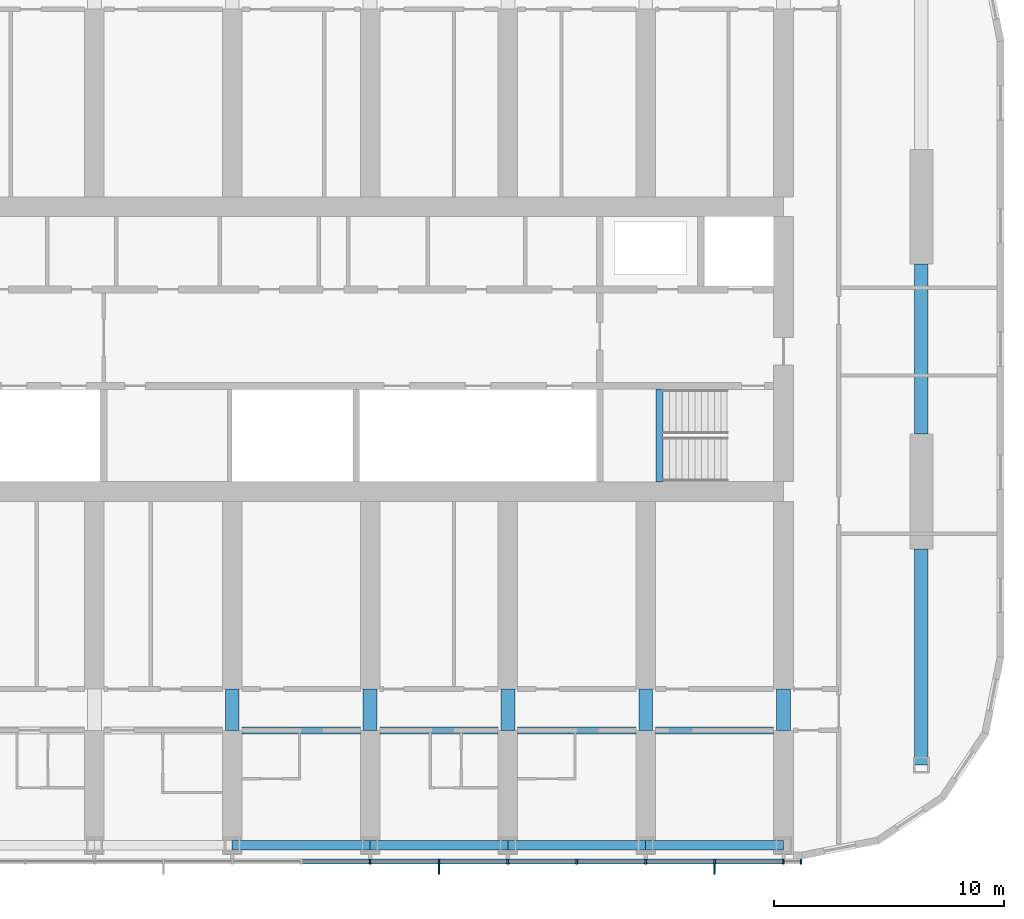
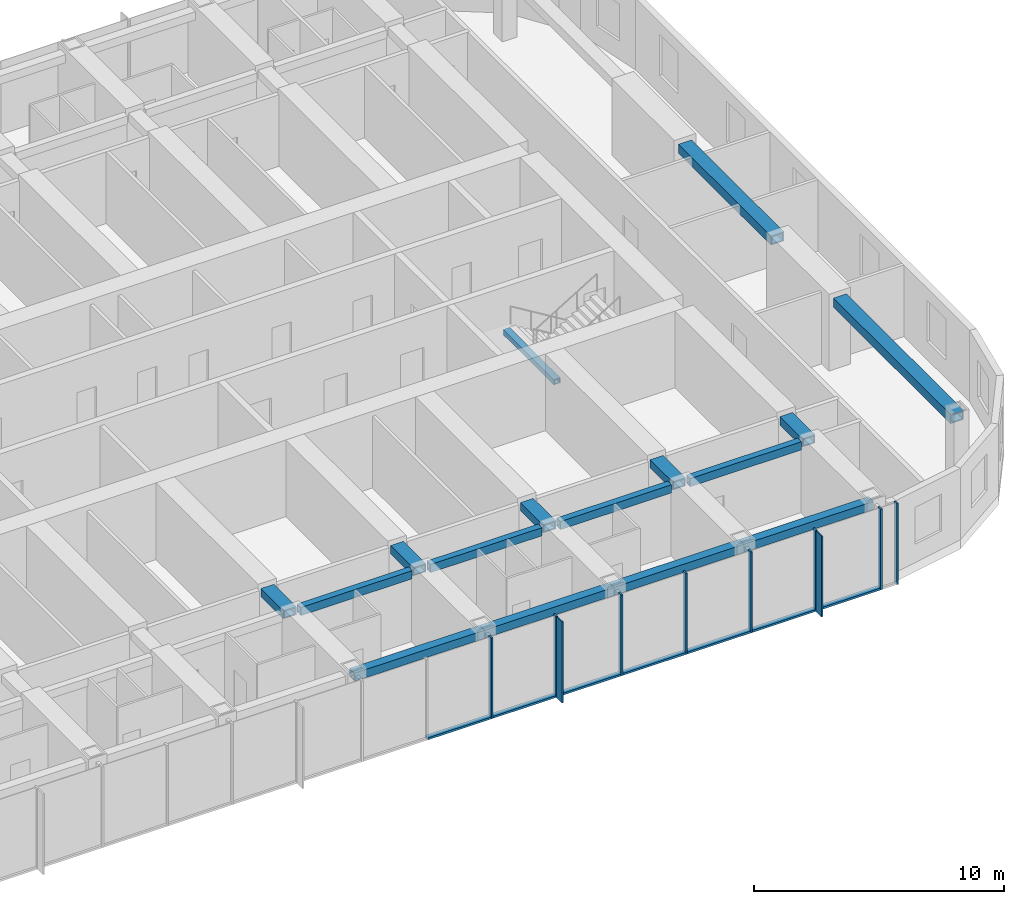
# One storey, part 7 of 29: 17 members, 16 beams, 1 element without a shape of its own.
"""IFC4 building model written with IfcOpenShell, lengths in metres."""

import ifcopenshell
import ifcopenshell.guid

model = None  # the IFC model being written
_history = None  # IfcOwnerHistory: only IFC2X3 demands one
_inside = {}  # id of a spatial element -> (the spatial element, [elements in it])
_under = {}  # id of a project, library or spatial element -> (it, [spatial elements below it])
_declared = {}  # id of a project -> (the project, [libraries it declares])
_typed = {}  # id of a type object -> (the type object, [elements of that type])
_made_of = {}  # id of a material, layer set ... -> (it, [elements and type objects made of it])


def new_model(schema):
    """Start an empty IFC model of exactly this schema.

    Asked for "IFC4X3", IfcOpenShell would pick the latest addendum, in which some entities
    have other attributes; the version numbers below select the first issue.
    IFC2X3 requires an IfcOwnerHistory on every rooted entity: one is made here for all.
    """
    global model, _history
    if schema == "IFC4X3":
        model = ifcopenshell.file(schema_version=(4, 3, 0, 0))
    else:
        model = ifcopenshell.file(schema=schema)
    _inside.clear()
    _under.clear()
    _declared.clear()
    _typed.clear()
    _made_of.clear()
    _history = None
    if model.schema == "IFC2X3":
        org = make("IfcOrganization", Name="unknown")
        user = make(
            "IfcPersonAndOrganization",
            ThePerson=make("IfcPerson", FamilyName="unknown"),
            TheOrganization=org,
        )
        app = make(
            "IfcApplication",
            ApplicationDeveloper=org,
            Version="unknown",
            ApplicationFullName="unknown",
            ApplicationIdentifier="unknown",
        )
        _history = make(
            "IfcOwnerHistory",
            OwningUser=user,
            OwningApplication=app,
            ChangeAction="ADDED",
            CreationDate=0,
        )
    return model


def make(cls, **values):
    """One entity of the class cls with the attributes given. An attribute that is None is left unset."""
    return model.create_entity(
        cls, **{name: value for name, value in values.items() if value is not None}
    )


def rooted(cls, **values):
    """An entity with a GlobalId (a new one), such as an element, a storey or a relation."""
    return make(cls, GlobalId=ifcopenshell.guid.new(), OwnerHistory=_history, **values)


def si_unit(unit_type, name, prefix=None):
    """IfcSIUnit, for example si_unit("LENGTHUNIT", "METRE", prefix="MILLI")."""
    return make("IfcSIUnit", UnitType=unit_type, Prefix=prefix, Name=name)


def assignment(units):
    """IfcUnitAssignment: the units of a project."""
    return None if units is None else make("IfcUnitAssignment", Units=units)


def point(xyz):
    """IfcCartesianPoint."""
    return None if xyz is None else make("IfcCartesianPoint", Coordinates=xyz)


def direction(xyz):
    """IfcDirection."""
    return None if xyz is None else make("IfcDirection", DirectionRatios=xyz)


def frame(location, z_axis=None, x_axis=None):
    """IfcAxis2Placement3D, a coordinate frame: its origin and axes. An axis left out is left unset."""
    return make(
        "IfcAxis2Placement3D",
        Location=point(location),
        Axis=direction(z_axis),
        RefDirection=direction(x_axis),
    )


def frame_2d(location, x_axis=None):
    """IfcAxis2Placement2D, a coordinate frame in the plane: its origin and x axis."""
    return make(
        "IfcAxis2Placement2D", Location=point(location), RefDirection=direction(x_axis)
    )


def origin():
    """The frame at (0, 0, 0) with its axes left unset."""
    return frame((0.0, 0.0, 0.0))


def origin_2d():
    """The frame at (0, 0) in the plane with its x axis left unset."""
    return frame_2d((0.0, 0.0))


def place(relative_to, where):
    """IfcLocalPlacement: puts the frame where relative to a parent placement (None: the world)."""
    return make(
        "IfcLocalPlacement", PlacementRelTo=relative_to, RelativePlacement=where
    )


def context(
    kind, dimensions, precision=None, world=None, true_north=None, identifier=None
):
    """IfcGeometricRepresentationContext, for example the 3D "Model" context."""
    return make(
        "IfcGeometricRepresentationContext",
        ContextIdentifier=identifier,
        ContextType=kind,
        CoordinateSpaceDimension=dimensions,
        Precision=precision,
        WorldCoordinateSystem=world,
        TrueNorth=true_north,
    )


def subcontext(parent, identifier, kind, view, scale=None):
    """IfcGeometricRepresentationSubContext, for example "Body" below "Model"."""
    return make(
        "IfcGeometricRepresentationSubContext",
        ContextIdentifier=identifier,
        ContextType=kind,
        ParentContext=parent,
        TargetScale=scale,
        TargetView=view,
    )


def project(units=None, contexts=None):
    """IfcProject with its units and contexts."""
    return rooted(
        "IfcProject",
        Name="project",
        RepresentationContexts=contexts,
        UnitsInContext=assignment(units),
    )


def spatial(cls, under=None, at=None, **own):
    """A site, building, storey or space (cls), placed at a placement, below another one or the project."""
    s = rooted(cls, ObjectPlacement=at, **own)
    if under is not None:
        _under.setdefault(under.id(), (under, []))[1].append(s)
    return s


def profile(cls, at=None, kind="AREA", **sizes):
    """A parametric profile (cls). Its sizes go by their IFC names, for example OverallWidth=200.0."""
    return make(cls, ProfileType=kind, Position=at, **sizes)


def rectangle(**sizes):
    """IfcRectangleProfileDef."""
    return profile("IfcRectangleProfileDef", **sizes)


def hollow_rectangle(**sizes):
    """IfcRectangleHollowProfileDef."""
    return profile("IfcRectangleHollowProfileDef", **sizes)


def extrude(swept, where, along, depth):
    """IfcExtrudedAreaSolid: the profile swept, set in the frame where, extruded along a direction by depth."""
    return make(
        "IfcExtrudedAreaSolid",
        SweptArea=swept,
        Position=where,
        ExtrudedDirection=direction(along),
        Depth=depth,
    )


def shape(context_of_items, identifier, shape_type, items):
    """IfcShapeRepresentation: the items that make up one representation, for example the "Body"."""
    return make(
        "IfcShapeRepresentation",
        ContextOfItems=context_of_items,
        RepresentationIdentifier=identifier,
        RepresentationType=shape_type,
        Items=items,
    )


def material(Name=None, Category=None):
    """IfcMaterial."""
    return make("IfcMaterial", Name=Name, Category=Category)


def material_profile(
    of_material, cross_section, Name=None, Category=None, Priority=None
):
    """IfcMaterialProfile: a cross section and its material."""
    return make(
        "IfcMaterialProfile",
        Name=Name,
        Material=of_material,
        Profile=cross_section,
        Priority=Priority,
        Category=Category,
    )


def profile_set(profiles, Name=None, composite=None):
    """IfcMaterialProfileSet."""
    return make(
        "IfcMaterialProfileSet",
        Name=Name,
        MaterialProfiles=profiles,
        CompositeProfile=composite,
    )


def made_of(thing, what):
    """Note that an element or type object is made of a material, layer set ...; save() writes the relation."""
    if what is not None:
        _made_of.setdefault(what.id(), (what, []))[1].append(thing)
    return thing


def type_object(cls, material=None, **own):
    """A type object (cls), such as IfcWallType, which elements share."""
    return made_of(rooted(cls, **own), material)


def element(
    cls,
    number,
    at=None,
    inside=None,
    cuts=None,
    type_object=None,
    material=None,
    context=None,
    identifier="Body",
    shape_type=None,
    held_by="IfcProductDefinitionShape",
    body=None,
    shapes=None,
    **own,
):
    """One element of the class cls, such as IfcWall. Its Tag is "e" and its number.

    at: its placement. inside: the storey or other place that contains it. cuts: it is an
    opening in that element (IfcRelVoidsElement). A single representation is given by context,
    identifier, shape_type and body (its items); several are given by shapes. held_by: the class
    of the entity that holds the representations. save() writes the other relations.
    """
    e = rooted(cls, Tag="e%d" % number, ObjectPlacement=at, **own)
    if body is not None:
        shapes = [shape(context, identifier, shape_type, body)]
    if shapes is not None:
        e.Representation = make(held_by, Representations=shapes)
    if inside is not None:
        _inside.setdefault(inside.id(), (inside, []))[1].append(e)
    if cuts is not None:
        rooted(
            "IfcRelVoidsElement", RelatingBuildingElement=cuts, RelatedOpeningElement=e
        )
    if type_object is not None:
        _typed.setdefault(type_object.id(), (type_object, []))[1].append(e)
    return made_of(e, material)


def aggregate(whole, parts):
    """IfcRelAggregates: a whole, such as a stair, and the parts it consists of."""
    return rooted("IfcRelAggregates", RelatingObject=whole, RelatedObjects=parts)


def save(model, path):
    """Write the relations noted so far, then the file.

    IfcRelAggregates (storeys below a building ...), IfcRelContainedInSpatialStructure (elements
    in a storey), IfcRelDefinesByType, IfcRelAssociatesMaterial and IfcRelDeclares: one each for
    every whole, place, type object, material and project.
    """
    for whole, parts in _under.values():
        aggregate(whole, parts)
    for where, things in _inside.values():
        rooted(
            "IfcRelContainedInSpatialStructure",
            RelatedElements=things,
            RelatingStructure=where,
        )
    for kind, things in _typed.values():
        rooted("IfcRelDefinesByType", RelatedObjects=things, RelatingType=kind)
    for what, things in _made_of.values():
        rooted("IfcRelAssociatesMaterial", RelatedObjects=things, RelatingMaterial=what)
    for by, libraries in _declared.values():
        rooted("IfcRelDeclares", RelatingContext=by, RelatedDefinitions=libraries)
    model.write(path)


model = new_model("IFC4")

# Units and contexts
model_context = context("Model", 3, precision=1e-05, world=origin(), true_north=direction((0.0, 1.0)))
body_context = subcontext(model_context, "Body", "Model", "MODEL_VIEW")
ifc_project = project(units=[si_unit("LENGTHUNIT", "METRE"), si_unit("AREAUNIT", "SQUARE_METRE"), si_unit("VOLUMEUNIT", "CUBIC_METRE"), si_unit("PLANEANGLEUNIT", "RADIAN"), si_unit("MASSUNIT", "GRAM", prefix="KILO")], contexts=[model_context])

# Site, building, storey
site_placement = place(None, origin())
site = spatial("IfcSite", under=ifc_project, at=site_placement, CompositionType="ELEMENT")
building_placement = place(site_placement, origin())
building = spatial("IfcBuilding", under=site, at=building_placement, Name="Orbita Commons", CompositionType="ELEMENT")
storey_placement = place(building_placement, frame((0.0, 0.0, 163.60009765625)))
storey = spatial("IfcBuildingStorey", under=building, at=storey_placement, Name="L40", CompositionType="ELEMENT", Elevation=163.60009765625)

# Curtain wall, members
ifc_material_1 = material(Name="Anodised aluminium frame, pale silver", Category="aluminium")
curtain_wall_type = type_object("IfcCurtainWallType", Name="Unitised curtain wall CW-U, full-height vision", PredefinedType="NOTDEFINED", material=ifc_material_1)
curtain_wall_placement = place(storey_placement, origin())
curtain_wall = element("IfcCurtainWall", 1, at=curtain_wall_placement, inside=storey, type_object=curtain_wall_type, Name="Curtain wall south L40", PredefinedType="NOTDEFINED")
ifc_material_2 = material(Name="Anodised aluminium, pale silver", Category="aluminium")
ifc_material_profile_1 = material_profile(ifc_material_2, rectangle(XDim=0.080078125, YDim=0.219970703125, at=origin_2d()), Name="AL 80x220")
ifc_profile_set_1 = profile_set([ifc_material_profile_1], Name="Anodised aluminium, pale silver")
member_type_1 = type_object("IfcMemberType", Name="Curtain wall mullion 80x220", PredefinedType="MULLION", material=ifc_profile_set_1)
member_1_placement = place(storey_placement, frame((48.0, 9.68994140625, -0.4501953125), z_axis=(0.0, 0.0, 1.0), x_axis=(1.0, 0.0, 0.0)))
member_1 = element("IfcMember", 2, at=member_1_placement, type_object=member_type_1, Name="Mullion 12 CW-L40-S", PredefinedType="MULLION", context=body_context, shape_type="SweptSolid", body=[
    extrude(rectangle(XDim=0.080078125, YDim=0.219970703125, at=origin_2d()), origin(), (0.0, 0.0, 1.0), 3.9501953125),
])
member_2_placement = place(storey_placement, frame((51.0, 9.68994140625, -0.4501953125), z_axis=(0.0, 0.0, 1.0), x_axis=(1.0, 0.0, 0.0)))
member_2 = element("IfcMember", 3, at=member_2_placement, type_object=member_type_1, Name="Mullion 13 CW-L40-S", PredefinedType="MULLION", context=body_context, shape_type="SweptSolid", body=[
    extrude(rectangle(XDim=0.080078125, YDim=0.219970703125, at=origin_2d()), origin(), (0.0, 0.0, 1.0), 3.9501953125),
])
member_3_placement = place(storey_placement, frame((54.0, 9.68994140625, -0.4501953125), z_axis=(0.0, 0.0, 1.0), x_axis=(1.0, 0.0, 0.0)))
member_3 = element("IfcMember", 4, at=member_3_placement, type_object=member_type_1, Name="Mullion 14 CW-L40-S", PredefinedType="MULLION", context=body_context, shape_type="SweptSolid", body=[
    extrude(rectangle(XDim=0.080078125, YDim=0.219970703125, at=origin_2d()), origin(), (0.0, 0.0, 1.0), 3.9501953125),
])
member_4_placement = place(storey_placement, frame((57.0, 9.68994140625, -0.4501953125), z_axis=(0.0, 0.0, 1.0), x_axis=(1.0, 0.0, 0.0)))
member_4 = element("IfcMember", 5, at=member_4_placement, type_object=member_type_1, Name="Mullion 15 CW-L40-S", PredefinedType="MULLION", context=body_context, shape_type="SweptSolid", body=[
    extrude(rectangle(XDim=0.080078125, YDim=0.219970703125, at=origin_2d()), origin(), (0.0, 0.0, 1.0), 3.9501953125),
])
member_5_placement = place(storey_placement, frame((60.0, 9.68994140625, -0.4501953125), z_axis=(0.0, 0.0, 1.0), x_axis=(1.0, 0.0, 0.0)))
member_5 = element("IfcMember", 6, at=member_5_placement, type_object=member_type_1, Name="Mullion 16 CW-L40-S", PredefinedType="MULLION", context=body_context, shape_type="SweptSolid", body=[
    extrude(rectangle(XDim=0.080078125, YDim=0.219970703125, at=origin_2d()), origin(), (0.0, 0.0, 1.0), 3.9501953125),
])
member_6_placement = place(storey_placement, frame((63.0, 9.68994140625, -0.4501953125), z_axis=(0.0, 0.0, 1.0), x_axis=(1.0, 0.0, 0.0)))
member_6 = element("IfcMember", 7, at=member_6_placement, type_object=member_type_1, Name="Mullion 17 CW-L40-S", PredefinedType="MULLION", context=body_context, shape_type="SweptSolid", body=[
    extrude(rectangle(XDim=0.080078125, YDim=0.219970703125, at=origin_2d()), origin(), (0.0, 0.0, 1.0), 3.9501953125),
])
member_7_placement = place(storey_placement, frame((66.0, 9.68994140625, -0.4501953125), z_axis=(0.0, 0.0, 1.0), x_axis=(1.0, 0.0, 0.0)))
member_7 = element("IfcMember", 8, at=member_7_placement, type_object=member_type_1, Name="Mullion 18 CW-L40-S", PredefinedType="MULLION", context=body_context, shape_type="SweptSolid", body=[
    extrude(rectangle(XDim=0.080078125, YDim=0.219970703125, at=origin_2d()), origin(), (0.0, 0.0, 1.0), 3.9501953125),
])
member_8_placement = place(storey_placement, frame((66.760009765625, 9.68994140625, -0.4501953125), z_axis=(0.0, 0.0, 1.0), x_axis=(1.0, 0.0, 0.0)))
member_8 = element("IfcMember", 9, at=member_8_placement, type_object=member_type_1, Name="Mullion 19 CW-L40-S", PredefinedType="MULLION", context=body_context, shape_type="SweptSolid", body=[
    extrude(rectangle(XDim=0.080078125, YDim=0.219970703125, at=origin_2d()), origin(), (0.0, 0.0, 1.0), 3.9501953125),
])
ifc_material_3 = material(Name="Anodised aluminium, pale silver", Category="aluminium")
ifc_material_profile_2 = material_profile(ifc_material_3, rectangle(XDim=0.219970703125, YDim=0.10009765625, at=origin_2d()), Name="AL 220x100")
ifc_profile_set_2 = profile_set([ifc_material_profile_2], Name="Anodised aluminium, pale silver")
member_type_2 = type_object("IfcMemberType", Name="Curtain wall stack transom 220x100", PredefinedType="USERDEFINED", material=ifc_profile_set_2)
member_9_placement = place(storey_placement, frame((45.0400390625, 9.68994140625, -0.400146484375), z_axis=(1.0, 0.0, 0.0), x_axis=(0.0, 1.0, 0.0)))
member_9 = element("IfcMember", 10, at=member_9_placement, type_object=member_type_2, Name="Transom 11.1 CW-L40-S", ObjectType="TRANSOM", PredefinedType="USERDEFINED", context=body_context, shape_type="SweptSolid", body=[
    extrude(rectangle(XDim=0.219970703125, YDim=0.10009765625, at=origin_2d()), origin(), (0.0, 0.0, 1.0), 2.919921875),
])
member_10_placement = place(storey_placement, frame((48.0400390625, 9.68994140625, -0.400146484375), z_axis=(1.0, 0.0, 0.0), x_axis=(0.0, 1.0, 0.0)))
member_10 = element("IfcMember", 11, at=member_10_placement, type_object=member_type_2, Name="Transom 12.1 CW-L40-S", ObjectType="TRANSOM", PredefinedType="USERDEFINED", context=body_context, shape_type="SweptSolid", body=[
    extrude(rectangle(XDim=0.219970703125, YDim=0.10009765625, at=origin_2d()), origin(), (0.0, 0.0, 1.0), 2.919921875),
])
member_11_placement = place(storey_placement, frame((51.0400390625, 9.68994140625, -0.400146484375), z_axis=(1.0, 0.0, 0.0), x_axis=(0.0, 1.0, 0.0)))
member_11 = element("IfcMember", 12, at=member_11_placement, type_object=member_type_2, Name="Transom 13.1 CW-L40-S", ObjectType="TRANSOM", PredefinedType="USERDEFINED", context=body_context, shape_type="SweptSolid", body=[
    extrude(rectangle(XDim=0.219970703125, YDim=0.10009765625, at=origin_2d()), origin(), (0.0, 0.0, 1.0), 2.919921875),
])
member_12_placement = place(storey_placement, frame((54.0400390625, 9.68994140625, -0.400146484375), z_axis=(1.0, 0.0, 0.0), x_axis=(0.0, 1.0, 0.0)))
member_12 = element("IfcMember", 13, at=member_12_placement, type_object=member_type_2, Name="Transom 14.1 CW-L40-S", ObjectType="TRANSOM", PredefinedType="USERDEFINED", context=body_context, shape_type="SweptSolid", body=[
    extrude(rectangle(XDim=0.219970703125, YDim=0.10009765625, at=origin_2d()), origin(), (0.0, 0.0, 1.0), 2.919921875),
])
member_13_placement = place(storey_placement, frame((57.0400390625, 9.68994140625, -0.400146484375), z_axis=(1.0, 0.0, 0.0), x_axis=(0.0, 1.0, 0.0)))
member_13 = element("IfcMember", 14, at=member_13_placement, type_object=member_type_2, Name="Transom 15.1 CW-L40-S", ObjectType="TRANSOM", PredefinedType="USERDEFINED", context=body_context, shape_type="SweptSolid", body=[
    extrude(rectangle(XDim=0.219970703125, YDim=0.10009765625, at=origin_2d()), origin(), (0.0, 0.0, 1.0), 2.919921875),
])
member_14_placement = place(storey_placement, frame((60.0400390625, 9.68994140625, -0.400146484375), z_axis=(1.0, 0.0, 0.0), x_axis=(0.0, 1.0, 0.0)))
member_14 = element("IfcMember", 15, at=member_14_placement, type_object=member_type_2, Name="Transom 16.1 CW-L40-S", ObjectType="TRANSOM", PredefinedType="USERDEFINED", context=body_context, shape_type="SweptSolid", body=[
    extrude(rectangle(XDim=0.219970703125, YDim=0.10009765625, at=origin_2d()), origin(), (0.0, 0.0, 1.0), 2.919921875),
])
member_15_placement = place(storey_placement, frame((63.0400390625, 9.68994140625, -0.400146484375), z_axis=(1.0, 0.0, 0.0), x_axis=(0.0, 1.0, 0.0)))
member_15 = element("IfcMember", 16, at=member_15_placement, type_object=member_type_2, Name="Transom 17.1 CW-L40-S", ObjectType="TRANSOM", PredefinedType="USERDEFINED", context=body_context, shape_type="SweptSolid", body=[
    extrude(rectangle(XDim=0.219970703125, YDim=0.10009765625, at=origin_2d()), origin(), (0.0, 0.0, 1.0), 2.919921875),
])

# Beams
ifc_material_4 = material(Name="Steel ASTM A572 Gr 50 welded plate", Category="steel")
ifc_material_profile_3 = material_profile(ifc_material_4, hollow_rectangle(XDim=0.300048828125, YDim=0.25, WallThickness=0.02490234375, at=origin_2d()), Name="BOX 250x300x25")
ifc_profile_set_3 = profile_set([ifc_material_profile_3], Name="Steel ASTM A572 Gr 50 welded plate")
beam_type_1 = type_object("IfcBeamType", Name="Stair landing beam steel BOX 250x300x25", PredefinedType="BEAM", material=ifc_profile_set_3)
beam_1_placement = place(storey_placement, frame((60.60009765625, 26.2099609375, 1.5498046875), z_axis=(0.0, 1.0, 0.0), x_axis=(-1.0, 0.0, 0.0)))
element("IfcBeam", 17, at=beam_1_placement, inside=storey, type_object=beam_type_1, Name="Stair S2 landing beam L40 1", PredefinedType="BEAM", context=body_context, shape_type="SweptSolid", body=[
    extrude(hollow_rectangle(XDim=0.300048828125, YDim=0.25, WallThickness=0.02490234375, at=origin_2d()), origin(), (0.0, 0.0, 1.0), 4.054931640625),
])
ifc_material_5 = material(Name="Steel ASTM A572 Gr 50 welded plate", Category="steel")
ifc_material_profile_4 = material_profile(ifc_material_5, hollow_rectangle(XDim=0.300048828125, YDim=0.39990234375, WallThickness=0.0400390625, at=origin_2d()), Name="BOX 400x300x40")
ifc_profile_set_4 = profile_set([ifc_material_profile_4], Name="Steel ASTM A572 Gr 50 welded plate")
beam_type_2 = type_object("IfcBeamType", Name="Steel corridor link BOX 400x300x40", PredefinedType="BEAM", material=ifc_profile_set_4)
for number, where, z_axis, x_axis, name in (
    (18, (42.425048828125, 15.39990234375, 3.2998046875), (1.0, 0.0, 0.0), (0.0, 1.0, 0.0), "Corridor beam SA 8-9 L40"),
    (19, (48.425048828125, 15.39990234375, 3.2998046875), (1.0, 0.0, 0.0), (0.0, 1.0, 0.0), "Corridor beam SA 9-10 L40"),
    (20, (54.425048828125, 15.39990234375, 3.2998046875), (1.0, 0.0, 0.0), (0.0, 1.0, 0.0), "Corridor beam SA 10-11 L40"),
    (21, (60.425048828125, 15.39990234375, 3.2998046875), (1.0, 0.0, 0.0), (0.0, 1.0, 0.0), "Corridor beam SA 11-12 L40"),
):
    element("IfcBeam", number, at=place(storey_placement, frame(where, z_axis=z_axis, x_axis=x_axis)), inside=storey, type_object=beam_type_2, Name=name, PredefinedType="BEAM", context=body_context, shape_type="SweptSolid", body=[
        extrude(hollow_rectangle(XDim=0.300048828125, YDim=0.39990234375, WallThickness=0.0400390625, at=origin_2d()), origin(), (0.0, 0.0, 1.0), 5.14990234375),
    ])
ifc_material_6 = material(Name="Steel ASTM A572 Gr 50 welded plate", Category="steel")
ifc_material_profile_5 = material_profile(ifc_material_6, hollow_rectangle(XDim=0.60009765625, YDim=0.39990234375, WallThickness=0.050048828125, at=origin_2d()), Name="BOX 400x600x50")
ifc_profile_set_5 = profile_set([ifc_material_profile_5], Name="Steel ASTM A572 Gr 50 welded plate")
beam_type_3 = type_object("IfcBeamType", Name="Steel coupling link BOX 400x600x50", PredefinedType="LINTEL", material=ifc_profile_set_5)
for number, where, z_axis, x_axis, name in (
    (22, (42.0, 15.39990234375, 3.2998046875), (0.0, 1.0, 0.0), (-1.0, 0.0, 0.0), "Coupling beam 8 south L40"),
    (23, (48.0, 15.39990234375, 3.2998046875), (0.0, 1.0, 0.0), (-1.0, 0.0, 0.0), "Coupling beam 9 south L40"),
    (24, (54.0, 15.39990234375, 3.2998046875), (0.0, 1.0, 0.0), (-1.0, 0.0, 0.0), "Coupling beam 10 south L40"),
    (25, (60.0, 15.39990234375, 3.2998046875), (0.0, 1.0, 0.0), (-1.0, 0.0, 0.0), "Coupling beam 11 south L40"),
    (26, (66.0, 15.39990234375, 3.2998046875), (0.0, 1.0, 0.0), (-1.0, 0.0, 0.0), "Coupling beam 12 south L40"),
):
    element("IfcBeam", number, at=place(storey_placement, frame(where, z_axis=z_axis, x_axis=x_axis)), inside=storey, type_object=beam_type_3, Name=name, PredefinedType="LINTEL", context=body_context, shape_type="SweptSolid", body=[
        extrude(hollow_rectangle(XDim=0.60009765625, YDim=0.39990234375, WallThickness=0.050048828125, at=origin_2d()), origin(), (0.0, 0.0, 1.0), 1.800048828125),
    ])
ifc_material_7 = material(Name="Steel ASTM A572 Gr 50 welded plate", Category="steel")
ifc_material_profile_6 = material_profile(ifc_material_7, hollow_rectangle(XDim=0.60009765625, YDim=0.449951171875, WallThickness=0.06005859375, at=origin_2d()), Name="BOX 450x600x60")
ifc_profile_set_6 = profile_set([ifc_material_profile_6], Name="Steel ASTM A572 Gr 50 welded plate")
beam_type_4 = type_object("IfcBeamType", Name="Steel end frame link BOX 450x600x60", PredefinedType="BEAM", material=ifc_profile_set_6)
beam_2_placement = place(storey_placement, frame((72.0, 13.89990234375, 3.27490234375), z_axis=(0.0, 1.0, 0.0), x_axis=(-1.0, 0.0, 0.0)))
element("IfcBeam", 27, at=beam_2_placement, inside=storey, type_object=beam_type_4, Name="End frame beam 13 B-C L40", PredefinedType="BEAM", context=body_context, shape_type="SweptSolid", body=[
    extrude(hollow_rectangle(XDim=0.60009765625, YDim=0.449951171875, WallThickness=0.06005859375, at=origin_2d()), origin(), (0.0, 0.0, 1.0), 9.400146484375),
])
beam_3_placement = place(storey_placement, frame((72.0, 28.300048828125, 3.27490234375), z_axis=(0.0, 1.0, 0.0), x_axis=(-1.0, 0.0, 0.0)))
element("IfcBeam", 28, at=beam_3_placement, inside=storey, type_object=beam_type_4, Name="End frame beam 13 C-D L40", PredefinedType="BEAM", context=body_context, shape_type="SweptSolid", body=[
    extrude(hollow_rectangle(XDim=0.60009765625, YDim=0.449951171875, WallThickness=0.06005859375, at=origin_2d()), origin(), (0.0, 0.0, 1.0), 7.39990234375),
])
ifc_material_8 = material(Name="Steel ASTM A572 Gr 50 welded plate", Category="steel")
ifc_material_profile_7 = material_profile(ifc_material_8, hollow_rectangle(XDim=0.39990234375, YDim=0.39990234375, WallThickness=0.0400390625, at=origin_2d()), Name="BOX 400x400x40")
ifc_profile_set_7 = profile_set([ifc_material_profile_7], Name="Steel ASTM A572 Gr 50 welded plate")
beam_type_5 = type_object("IfcBeamType", Name="Steel spandrel BOX 400x400x40", PredefinedType="SPANDREL", material=ifc_profile_set_7)
for number, where, z_axis, x_axis, name in (
    (29, (42.0, 10.39990234375, 3.2998046875), (1.0, 0.0, 0.0), (0.0, 1.0, 0.0), "Spandrel beam B 8-9 L40"),
    (30, (48.0, 10.39990234375, 3.2998046875), (1.0, 0.0, 0.0), (0.0, 1.0, 0.0), "Spandrel beam B 9-10 L40"),
    (31, (54.0, 10.39990234375, 3.2998046875), (1.0, 0.0, 0.0), (0.0, 1.0, 0.0), "Spandrel beam B 10-11 L40"),
    (32, (60.0, 10.39990234375, 3.2998046875), (1.0, 0.0, 0.0), (0.0, 1.0, 0.0), "Spandrel beam B 11-12 L40"),
):
    element("IfcBeam", number, at=place(storey_placement, frame(where, z_axis=z_axis, x_axis=x_axis)), inside=storey, type_object=beam_type_5, Name=name, PredefinedType="SPANDREL", context=body_context, shape_type="SweptSolid", body=[
        extrude(hollow_rectangle(XDim=0.39990234375, YDim=0.39990234375, WallThickness=0.0400390625, at=origin_2d()), origin(), (0.0, 0.0, 1.0), 6.0),
    ])

# Member
ifc_material_9 = material(Name="Anodised aluminium, pale silver", Category="aluminium")
ifc_material_profile_8 = material_profile(ifc_material_9, rectangle(XDim=0.06005859375, YDim=0.449951171875, at=origin_2d()), Name="FIN 60x450")
ifc_profile_set_8 = profile_set([ifc_material_profile_8], Name="Anodised aluminium, pale silver")
member_type_3 = type_object("IfcMemberType", Name="Vertical fin 60x450 pale aluminium", PredefinedType="USERDEFINED", material=ifc_profile_set_8)
member_16_placement = place(storey_placement, frame((51.0, 9.35498046875, -0.4501953125), z_axis=(0.0, 0.0, 1.0), x_axis=(1.0, 0.0, 0.0)))
member_16 = element("IfcMember", 33, at=member_16_placement, type_object=member_type_3, Name="Fin 13 CW-L40-S", ObjectType="FIN", PredefinedType="USERDEFINED", context=body_context, shape_type="SweptSolid", body=[
    extrude(rectangle(XDim=0.06005859375, YDim=0.449951171875, at=origin_2d()), origin(), (0.0, 0.0, 1.0), 3.9501953125),
])

member_17_placement = place(storey_placement, frame((63.0, 9.35498046875, -0.4501953125), z_axis=(0.0, 0.0, 1.0), x_axis=(1.0, 0.0, 0.0)))
member_17 = element("IfcMember", 34, at=member_17_placement, type_object=member_type_3, Name="Fin 17 CW-L40-S", ObjectType="FIN", PredefinedType="USERDEFINED", context=body_context, shape_type="SweptSolid", body=[
    extrude(rectangle(XDim=0.06005859375, YDim=0.449951171875, at=origin_2d()), origin(), (0.0, 0.0, 1.0), 3.9501953125),
])

aggregate(curtain_wall, [member_1, member_2, member_16, member_3, member_4, member_5, member_6, member_17, member_7, member_8, member_9, member_10, member_11, member_12, member_13, member_14, member_15])

save(model, "model.ifc")
